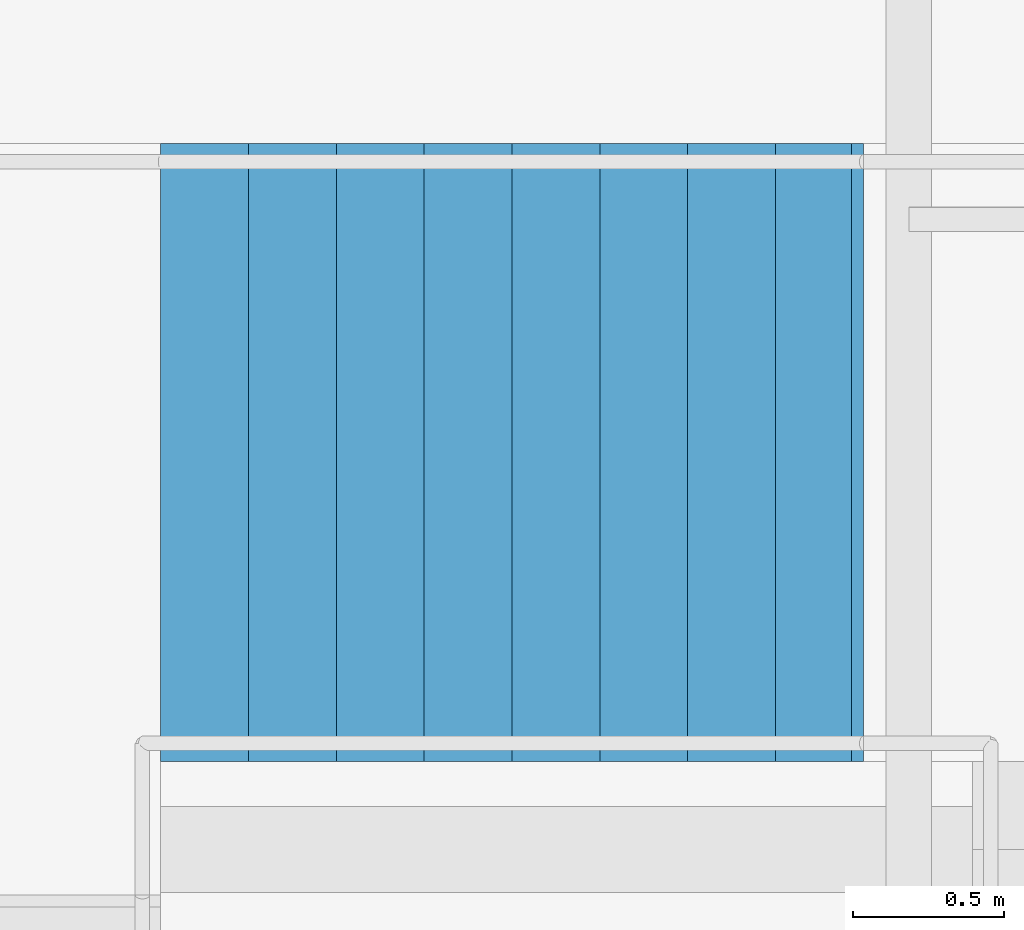
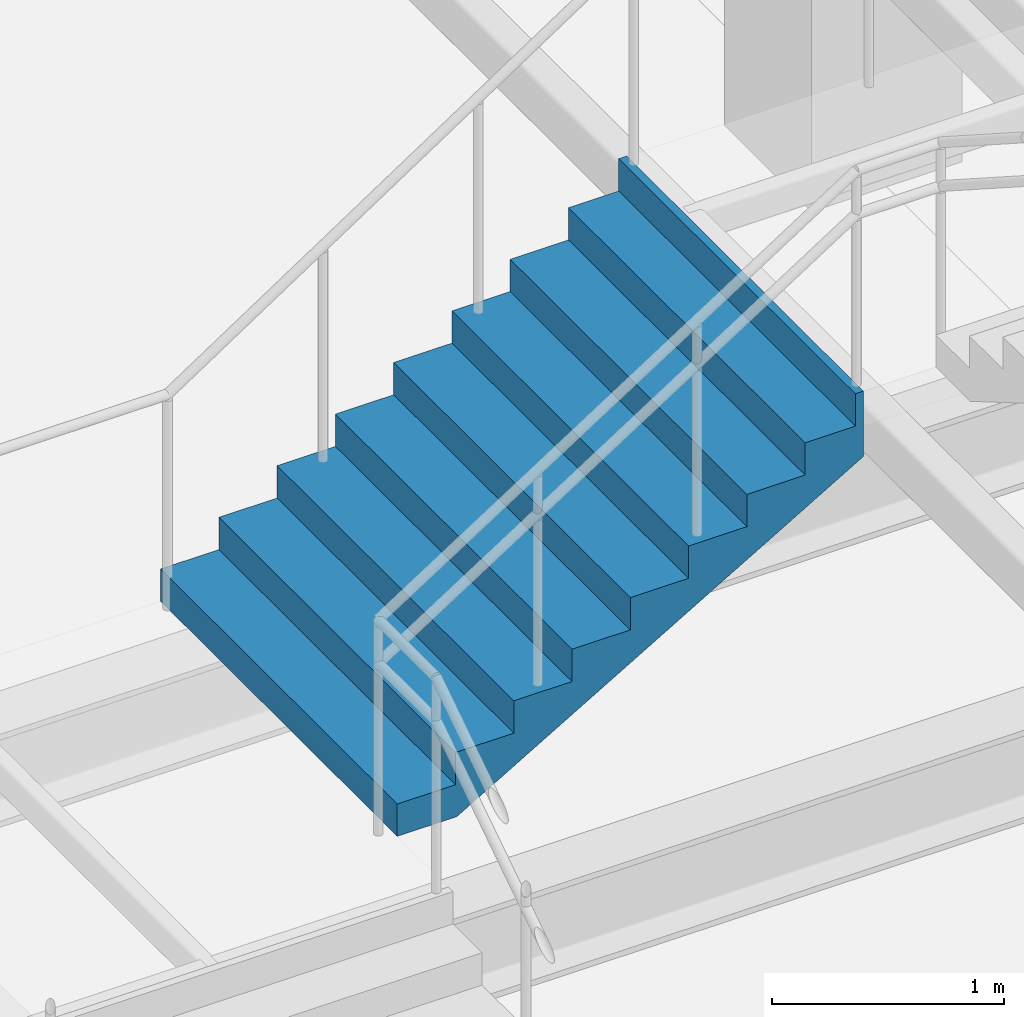
# One storey, part 43 of 49: 1 stair flight, 1 element without a shape of its own.
"""IFC4 building model written with IfcOpenShell, lengths in metres."""

from ifc_helpers import new_model, si_unit, direction, frame, origin, place, context, subcontext, project, spatial, triangles, material, type_object, element, aggregate, save


model = new_model("IFC4")

# Units and contexts
model_context = context("Model", 3, precision=1e-05, world=origin(), true_north=direction((0.0, 1.0)))
body_context = subcontext(model_context, "Body", "Model", "MODEL_VIEW")
ifc_project = project(units=[si_unit("LENGTHUNIT", "METRE"), si_unit("AREAUNIT", "SQUARE_METRE"), si_unit("VOLUMEUNIT", "CUBIC_METRE"), si_unit("PLANEANGLEUNIT", "RADIAN"), si_unit("MASSUNIT", "GRAM", prefix="KILO")], contexts=[model_context])

# Site, building, storey
site_placement = place(None, origin())
site = spatial("IfcSite", under=ifc_project, at=site_placement, CompositionType="ELEMENT")
building_placement = place(site_placement, origin())
building = spatial("IfcBuilding", under=site, at=building_placement, Name="Sillaruma Civic Art Gallery", CompositionType="ELEMENT")
storey_placement = place(building_placement, frame((0.0, 0.0, 33.14990234375)))
storey = spatial("IfcBuildingStorey", under=building, at=storey_placement, Name="L06", CompositionType="ELEMENT", Elevation=33.14990234375)

# Stair, stair flight
ifc_material = material(Name="Concrete H35 (35 MPa)", Category="concrete")
stair_type = type_object("IfcStairType", Name="STR-3F-27", PredefinedType="TWO_QUARTER_TURN_STAIR", material=ifc_material)
stair_placement = place(storey_placement, origin())
stair = element("IfcStair", 1, at=stair_placement, inside=storey, type_object=stair_type, Name="Monumental Gallery Feature Stair ST-G03 (L06)", PredefinedType="TWO_QUARTER_TURN_STAIR")
stair_flight_type = type_object("IfcStairFlightType", Name="SFL-STR-9", PredefinedType="STRAIGHT", material=ifc_material)
stair_flight_placement = place(storey_placement, frame((86.639892578125, 74.780029296875, 1.530029296875), z_axis=(0.0, 0.0, 1.0), x_axis=(1.0, 0.0, 0.0)))
stair_flight = element("IfcStairFlight", 2, at=stair_flight_placement, type_object=stair_flight_type, Name="ST-G03 flight 2", NumberOfRisers=9, NumberOfTreads=8, PredefinedType="STRAIGHT", RiserHeight=0.17, TreadLength=0.29, context=body_context, shape_type="Tessellation", body=[
    triangles([(0.0, -1.02001953125, 0.0), (0.29, -1.02001953125, 0.0), (0.296482, -1.02001953125, 0.0), (0.58, -1.02001953125, 0.1662), (0.87, -1.02001953125, 0.3362), (1.16, -1.02001953125, 0.5062), (1.45, -1.02001953125, 0.6762), (1.74, -1.02001953125, 0.8462), (2.03, -1.02001953125, 1.0162), (2.280068, -1.02001953125, 1.162792), (2.320068, -1.02001953125, 1.18624), (2.320068, -1.02001953125, 1.53), (2.280068, -1.02001953125, 1.53), (2.280068, -1.02001953125, 1.36), (2.03, -1.02001953125, 1.36), (2.03, -1.02001953125, 1.19), (1.74, -1.02001953125, 1.19), (1.74, -1.02001953125, 1.02), (1.45, -1.02001953125, 1.02), (1.45, -1.02001953125, 0.85), (1.16, -1.02001953125, 0.85), (1.16, -1.02001953125, 0.68), (0.87, -1.02001953125, 0.68), (0.87, -1.02001953125, 0.51), (0.58, -1.02001953125, 0.51), (0.58, -1.02001953125, 0.34), (0.296482, -1.02001953125, 0.34), (0.29, -1.02001953125, 0.34), (0.29, -1.02001953125, 0.17), (0.0, -1.02001953125, 0.17), (0.0, -0.05, 0.0), (0.29, -0.05, 0.0), (0.296482, -0.05, 0.0), (0.58, -0.05, 0.1662), (0.87, -0.05, 0.3362), (1.16, -0.05, 0.5062), (1.45, -0.05, 0.6762), (1.74, -0.05, 0.8462), (2.03, -0.05, 1.0162), (2.280068, -0.05, 1.162792), (2.320068, -0.05, 1.18624), (2.320068, -0.05, 1.53), (2.280068, -0.05, 1.53), (2.280068, -0.05, 1.36), (2.03, -0.05, 1.36), (2.03, -0.05, 1.19), (1.74, -0.05, 1.19), (1.74, -0.05, 1.02), (1.45, -0.05, 1.02), (1.45, -0.05, 0.85), (1.16, -0.05, 0.85), (1.16, -0.05, 0.68), (0.87, -0.05, 0.68), (0.87, -0.05, 0.51), (0.58, -0.05, 0.51), (0.58, -0.05, 0.34), (0.296482, -0.05, 0.34), (0.29, -0.05, 0.34), (0.29, -0.05, 0.17), (0.0, -0.05, 0.17), (0.0, -0.0375, 0.0), (0.29, -0.0375, 0.0), (0.296482, -0.0375, 0.0), (0.58, -0.0375, 0.1662), (0.87, -0.0375, 0.3362), (1.16, -0.0375, 0.5062), (1.45, -0.0375, 0.6762), (1.74, -0.0375, 0.8462), (2.03, -0.0375, 1.0162), (2.280068, -0.0375, 1.162792), (2.320068, -0.0375, 1.18624), (2.320068, -0.0375, 1.53), (2.280068, -0.0375, 1.53), (2.280068, -0.0375, 1.36), (2.03, -0.0375, 1.36), (2.03, -0.0375, 1.19), (1.74, -0.0375, 1.19), (1.74, -0.0375, 1.02), (1.45, -0.0375, 1.02), (1.45, -0.0375, 0.85), (1.16, -0.0375, 0.85), (1.16, -0.0375, 0.68), (0.87, -0.0375, 0.68), (0.87, -0.0375, 0.51), (0.58, -0.0375, 0.51), (0.58, -0.0375, 0.34), (0.296482, -0.0375, 0.34), (0.29, -0.0375, 0.34), (0.29, -0.0375, 0.17), (0.0, -0.0375, 0.17), (0.0, -0.025, 0.0), (0.29, -0.025, 0.0), (0.296482, -0.025, 0.0), (0.58, -0.025, 0.1662), (0.87, -0.025, 0.3362), (1.16, -0.025, 0.5062), (1.45, -0.025, 0.6762), (1.74, -0.025, 0.8462), (2.03, -0.025, 1.0162), (2.280068, -0.025, 1.162792), (2.320068, -0.025, 1.18624), (2.320068, -0.025, 1.53), (2.280068, -0.025, 1.53), (2.280068, -0.025, 1.36), (2.03, -0.025, 1.36), (2.03, -0.025, 1.19), (1.74, -0.025, 1.19), (1.74, -0.025, 1.02), (1.45, -0.025, 1.02), (1.45, -0.025, 0.85), (1.16, -0.025, 0.85), (1.16, -0.025, 0.68), (0.87, -0.025, 0.68), (0.87, -0.025, 0.51), (0.58, -0.025, 0.51), (0.58, -0.025, 0.34), (0.296482, -0.025, 0.34), (0.29, -0.025, 0.34), (0.29, -0.025, 0.17), (0.0, -0.025, 0.17), (0.0, -0.0125, 0.0), (0.29, -0.0125, 0.0), (0.296482, -0.0125, 0.0), (0.58, -0.0125, 0.1662), (0.87, -0.0125, 0.3362), (1.16, -0.0125, 0.5062), (1.45, -0.0125, 0.6762), (1.74, -0.0125, 0.8462), (2.03, -0.0125, 1.0162), (2.280068, -0.0125, 1.162792), (2.320068, -0.0125, 1.18624), (2.320068, -0.0125, 1.53), (2.280068, -0.0125, 1.53), (2.280068, -0.0125, 1.36), (2.03, -0.0125, 1.36), (2.03, -0.0125, 1.19), (1.74, -0.0125, 1.19), (1.74, -0.0125, 1.02), (1.45, -0.0125, 1.02), (1.45, -0.0125, 0.85), (1.16, -0.0125, 0.85), (1.16, -0.0125, 0.68), (0.87, -0.0125, 0.68), (0.87, -0.0125, 0.51), (0.58, -0.0125, 0.51), (0.58, -0.0125, 0.34), (0.296482, -0.0125, 0.34), (0.29, -0.0125, 0.34), (0.29, -0.0125, 0.17), (0.0, -0.0125, 0.17), (0.0, 0.0, 0.0), (0.29, 0.0, 0.0), (0.296482, 0.0, 0.0), (0.58, 0.0, 0.1662), (0.87, 0.0, 0.3362), (1.16, 0.0, 0.5062), (1.45, 0.0, 0.6762), (1.74, 0.0, 0.8462), (2.03, 0.0, 1.0162), (2.280068, 0.0, 1.162792), (2.320068, 0.0, 1.18624), (2.320068, 0.0, 1.53), (2.280068, 0.0, 1.53), (2.280068, 0.0, 1.36), (2.03, 0.0, 1.36), (2.03, 0.0, 1.19), (1.74, 0.0, 1.19), (1.74, 0.0, 1.02), (1.45, 0.0, 1.02), (1.45, 0.0, 0.85), (1.16, 0.0, 0.85), (1.16, 0.0, 0.68), (0.87, 0.0, 0.68), (0.87, 0.0, 0.51), (0.58, 0.0, 0.51), (0.58, 0.0, 0.34), (0.296482, 0.0, 0.34), (0.29, 0.0, 0.34), (0.29, 0.0, 0.17), (0.0, 0.0, 0.17), (0.0, 0.0125, 0.0), (0.29, 0.0125, 0.0), (0.296482, 0.0125, 0.0), (0.58, 0.0125, 0.1662), (0.87, 0.0125, 0.3362), (1.16, 0.0125, 0.5062), (1.45, 0.0125, 0.6762), (1.74, 0.0125, 0.8462), (2.03, 0.0125, 1.0162), (2.280068, 0.0125, 1.162792), (2.320068, 0.0125, 1.18624), (2.320068, 0.0125, 1.53), (2.280068, 0.0125, 1.53), (2.280068, 0.0125, 1.36), (2.03, 0.0125, 1.36), (2.03, 0.0125, 1.19), (1.74, 0.0125, 1.19), (1.74, 0.0125, 1.02), (1.45, 0.0125, 1.02), (1.45, 0.0125, 0.85), (1.16, 0.0125, 0.85), (1.16, 0.0125, 0.68), (0.87, 0.0125, 0.68), (0.87, 0.0125, 0.51), (0.58, 0.0125, 0.51), (0.58, 0.0125, 0.34), (0.296482, 0.0125, 0.34), (0.29, 0.0125, 0.34), (0.29, 0.0125, 0.17), (0.0, 0.0125, 0.17), (0.0, 0.025, 0.0), (0.29, 0.025, 0.0), (0.296482, 0.025, 0.0), (0.58, 0.025, 0.1662), (0.87, 0.025, 0.3362), (1.16, 0.025, 0.5062), (1.45, 0.025, 0.6762), (1.74, 0.025, 0.8462), (2.03, 0.025, 1.0162), (2.280068, 0.025, 1.162792), (2.320068, 0.025, 1.18624), (2.320068, 0.025, 1.53), (2.280068, 0.025, 1.53), (2.280068, 0.025, 1.36), (2.03, 0.025, 1.36), (2.03, 0.025, 1.19), (1.74, 0.025, 1.19), (1.74, 0.025, 1.02), (1.45, 0.025, 1.02), (1.45, 0.025, 0.85), (1.16, 0.025, 0.85), (1.16, 0.025, 0.68), (0.87, 0.025, 0.68), (0.87, 0.025, 0.51), (0.58, 0.025, 0.51), (0.58, 0.025, 0.34), (0.296482, 0.025, 0.34), (0.29, 0.025, 0.34), (0.29, 0.025, 0.17), (0.0, 0.025, 0.17), (0.0, 0.0375, 0.0), (0.29, 0.0375, 0.0), (0.296482, 0.0375, 0.0), (0.58, 0.0375, 0.1662), (0.87, 0.0375, 0.3362), (1.16, 0.0375, 0.5062), (1.45, 0.0375, 0.6762), (1.74, 0.0375, 0.8462), (2.03, 0.0375, 1.0162), (2.280068, 0.0375, 1.162792), (2.320068, 0.0375, 1.18624), (2.320068, 0.0375, 1.53), (2.280068, 0.0375, 1.53), (2.280068, 0.0375, 1.36), (2.03, 0.0375, 1.36), (2.03, 0.0375, 1.19), (1.74, 0.0375, 1.19), (1.74, 0.0375, 1.02), (1.45, 0.0375, 1.02), (1.45, 0.0375, 0.85), (1.16, 0.0375, 0.85), (1.16, 0.0375, 0.68), (0.87, 0.0375, 0.68), (0.87, 0.0375, 0.51), (0.58, 0.0375, 0.51), (0.58, 0.0375, 0.34), (0.296482, 0.0375, 0.34), (0.29, 0.0375, 0.34), (0.29, 0.0375, 0.17), (0.0, 0.0375, 0.17), (0.0, 0.05, 0.0), (0.29, 0.05, 0.0), (0.296482, 0.05, 0.0), (0.58, 0.05, 0.1662), (0.87, 0.05, 0.3362), (1.16, 0.05, 0.5062), (1.45, 0.05, 0.6762), (1.74, 0.05, 0.8462), (2.03, 0.05, 1.0162), (2.280068, 0.05, 1.162792), (2.320068, 0.05, 1.18624), (2.320068, 0.05, 1.53), (2.280068, 0.05, 1.53), (2.280068, 0.05, 1.36), (2.03, 0.05, 1.36), (2.03, 0.05, 1.19), (1.74, 0.05, 1.19), (1.74, 0.05, 1.02), (1.45, 0.05, 1.02), (1.45, 0.05, 0.85), (1.16, 0.05, 0.85), (1.16, 0.05, 0.68), (0.87, 0.05, 0.68), (0.87, 0.05, 0.51), (0.58, 0.05, 0.51), (0.58, 0.05, 0.34), (0.296482, 0.05, 0.34), (0.29, 0.05, 0.34), (0.29, 0.05, 0.17), (0.0, 0.05, 0.17), (0.0, 1.02001953125, 0.0), (0.29, 1.02001953125, 0.0), (0.296482, 1.02001953125, 0.0), (0.58, 1.02001953125, 0.1662), (0.87, 1.02001953125, 0.3362), (1.16, 1.02001953125, 0.5062), (1.45, 1.02001953125, 0.6762), (1.74, 1.02001953125, 0.8462), (2.03, 1.02001953125, 1.0162), (2.280068, 1.02001953125, 1.162792), (2.320068, 1.02001953125, 1.18624), (2.320068, 1.02001953125, 1.53), (2.280068, 1.02001953125, 1.53), (2.280068, 1.02001953125, 1.36), (2.03, 1.02001953125, 1.36), (2.03, 1.02001953125, 1.19), (1.74, 1.02001953125, 1.19), (1.74, 1.02001953125, 1.02), (1.45, 1.02001953125, 1.02), (1.45, 1.02001953125, 0.85), (1.16, 1.02001953125, 0.85), (1.16, 1.02001953125, 0.68), (0.87, 1.02001953125, 0.68), (0.87, 1.02001953125, 0.51), (0.58, 1.02001953125, 0.51), (0.58, 1.02001953125, 0.34), (0.296482, 1.02001953125, 0.34), (0.29, 1.02001953125, 0.34), (0.29, 1.02001953125, 0.17), (0.0, 1.02001953125, 0.17)], [[1, 2, 29], [1, 29, 30], [2, 3, 27], [2, 27, 29], [29, 27, 28], [3, 4, 26], [3, 26, 27], [4, 5, 24], [4, 24, 26], [26, 24, 25], [5, 6, 22], [5, 22, 24], [24, 22, 23], [6, 7, 20], [6, 20, 22], [22, 20, 21], [7, 8, 18], [7, 18, 20], [20, 18, 19], [8, 9, 16], [8, 16, 18], [18, 16, 17], [9, 10, 14], [9, 14, 16], [16, 14, 15], [10, 11, 12], [10, 12, 14], [14, 12, 13], [329, 302, 301], [330, 329, 301], [327, 303, 302], [329, 327, 302], [328, 327, 329], [326, 304, 303], [327, 326, 303], [324, 305, 304], [326, 324, 304], [325, 324, 326], [322, 306, 305], [324, 322, 305], [323, 322, 324], [320, 307, 306], [322, 320, 306], [321, 320, 322], [318, 308, 307], [320, 318, 307], [319, 318, 320], [316, 309, 308], [318, 316, 308], [317, 316, 318], [314, 310, 309], [316, 314, 309], [315, 314, 316], [312, 311, 310], [314, 312, 310], [313, 312, 314], [2, 1, 31], [2, 31, 32], [3, 2, 32], [3, 32, 33], [4, 3, 33], [4, 33, 34], [5, 4, 34], [5, 34, 35], [6, 5, 35], [6, 35, 36], [7, 6, 36], [7, 36, 37], [8, 7, 37], [8, 37, 38], [9, 8, 38], [9, 38, 39], [10, 9, 39], [10, 39, 40], [11, 10, 40], [11, 40, 41], [12, 11, 41], [12, 41, 42], [13, 12, 42], [13, 42, 43], [14, 13, 43], [14, 43, 44], [15, 14, 44], [15, 44, 45], [16, 15, 45], [16, 45, 46], [17, 16, 46], [17, 46, 47], [18, 17, 47], [18, 47, 48], [19, 18, 48], [19, 48, 49], [20, 19, 49], [20, 49, 50], [21, 20, 50], [21, 50, 51], [22, 21, 51], [22, 51, 52], [23, 22, 52], [23, 52, 53], [24, 23, 53], [24, 53, 54], [25, 24, 54], [25, 54, 55], [26, 25, 55], [26, 55, 56], [27, 26, 56], [27, 56, 57], [28, 27, 57], [28, 57, 58], [29, 28, 58], [29, 58, 59], [30, 29, 59], [30, 59, 60], [1, 30, 60], [1, 60, 31], [32, 31, 61], [32, 61, 62], [33, 32, 62], [33, 62, 63], [34, 33, 63], [34, 63, 64], [35, 34, 64], [35, 64, 65], [36, 35, 65], [36, 65, 66], [37, 36, 66], [37, 66, 67], [38, 37, 67], [38, 67, 68], [39, 38, 68], [39, 68, 69], [40, 39, 69], [40, 69, 70], [41, 40, 70], [41, 70, 71], [42, 41, 71], [42, 71, 72], [43, 42, 72], [43, 72, 73], [44, 43, 73], [44, 73, 74], [45, 44, 74], [45, 74, 75], [46, 45, 75], [46, 75, 76], [47, 46, 76], [47, 76, 77], [48, 47, 77], [48, 77, 78], [49, 48, 78], [49, 78, 79], [50, 49, 79], [50, 79, 80], [51, 50, 80], [51, 80, 81], [52, 51, 81], [52, 81, 82], [53, 52, 82], [53, 82, 83], [54, 53, 83], [54, 83, 84], [55, 54, 84], [55, 84, 85], [56, 55, 85], [56, 85, 86], [57, 56, 86], [57, 86, 87], [58, 57, 87], [58, 87, 88], [59, 58, 88], [59, 88, 89], [60, 59, 89], [60, 89, 90], [31, 60, 90], [31, 90, 61], [62, 61, 91], [62, 91, 92], [63, 62, 92], [63, 92, 93], [64, 63, 93], [64, 93, 94], [65, 64, 94], [65, 94, 95], [66, 65, 95], [66, 95, 96], [67, 66, 96], [67, 96, 97], [68, 67, 97], [68, 97, 98], [69, 68, 98], [69, 98, 99], [70, 69, 99], [70, 99, 100], [71, 70, 100], [71, 100, 101], [72, 71, 101], [72, 101, 102], [73, 72, 102], [73, 102, 103], [74, 73, 103], [74, 103, 104], [75, 74, 104], [75, 104, 105], [76, 75, 105], [76, 105, 106], [77, 76, 106], [77, 106, 107], [78, 77, 107], [78, 107, 108], [79, 78, 108], [79, 108, 109], [80, 79, 109], [80, 109, 110], [81, 80, 110], [81, 110, 111], [82, 81, 111], [82, 111, 112], [83, 82, 112], [83, 112, 113], [84, 83, 113], [84, 113, 114], [85, 84, 114], [85, 114, 115], [86, 85, 115], [86, 115, 116], [87, 86, 116], [87, 116, 117], [88, 87, 117], [88, 117, 118], [89, 88, 118], [89, 118, 119], [90, 89, 119], [90, 119, 120], [61, 90, 120], [61, 120, 91], [92, 91, 121], [92, 121, 122], [93, 92, 122], [93, 122, 123], [94, 93, 123], [94, 123, 124], [95, 94, 124], [95, 124, 125], [96, 95, 125], [96, 125, 126], [97, 96, 126], [97, 126, 127], [98, 97, 127], [98, 127, 128], [99, 98, 128], [99, 128, 129], [100, 99, 129], [100, 129, 130], [101, 100, 130], [101, 130, 131], [102, 101, 131], [102, 131, 132], [103, 102, 132], [103, 132, 133], [104, 103, 133], [104, 133, 134], [105, 104, 134], [105, 134, 135], [106, 105, 135], [106, 135, 136], [107, 106, 136], [107, 136, 137], [108, 107, 137], [108, 137, 138], [109, 108, 138], [109, 138, 139], [110, 109, 139], [110, 139, 140], [111, 110, 140], [111, 140, 141], [112, 111, 141], [112, 141, 142], [113, 112, 142], [113, 142, 143], [114, 113, 143], [114, 143, 144], [115, 114, 144], [115, 144, 145], [116, 115, 145], [116, 145, 146], [117, 116, 146], [117, 146, 147], [118, 117, 147], [118, 147, 148], [119, 118, 148], [119, 148, 149], [120, 119, 149], [120, 149, 150], [91, 120, 150], [91, 150, 121], [122, 121, 151], [122, 151, 152], [123, 122, 152], [123, 152, 153], [124, 123, 153], [124, 153, 154], [125, 124, 154], [125, 154, 155], [126, 125, 155], [126, 155, 156], [127, 126, 156], [127, 156, 157], [128, 127, 157], [128, 157, 158], [129, 128, 158], [129, 158, 159], [130, 129, 159], [130, 159, 160], [131, 130, 160], [131, 160, 161], [132, 131, 161], [132, 161, 162], [133, 132, 162], [133, 162, 163], [134, 133, 163], [134, 163, 164], [135, 134, 164], [135, 164, 165], [136, 135, 165], [136, 165, 166], [137, 136, 166], [137, 166, 167], [138, 137, 167], [138, 167, 168], [139, 138, 168], [139, 168, 169], [140, 139, 169], [140, 169, 170], [141, 140, 170], [141, 170, 171], [142, 141, 171], [142, 171, 172], [143, 142, 172], [143, 172, 173], [144, 143, 173], [144, 173, 174], [145, 144, 174], [145, 174, 175], [146, 145, 175], [146, 175, 176], [147, 146, 176], [147, 176, 177], [148, 147, 177], [148, 177, 178], [149, 148, 178], [149, 178, 179], [150, 149, 179], [150, 179, 180], [121, 150, 180], [121, 180, 151], [152, 151, 181], [152, 181, 182], [153, 152, 182], [153, 182, 183], [154, 153, 183], [154, 183, 184], [155, 154, 184], [155, 184, 185], [156, 155, 185], [156, 185, 186], [157, 156, 186], [157, 186, 187], [158, 157, 187], [158, 187, 188], [159, 158, 188], [159, 188, 189], [160, 159, 189], [160, 189, 190], [161, 160, 190], [161, 190, 191], [162, 161, 191], [162, 191, 192], [163, 162, 192], [163, 192, 193], [164, 163, 193], [164, 193, 194], [165, 164, 194], [165, 194, 195], [166, 165, 195], [166, 195, 196], [167, 166, 196], [167, 196, 197], [168, 167, 197], [168, 197, 198], [169, 168, 198], [169, 198, 199], [170, 169, 199], [170, 199, 200], [171, 170, 200], [171, 200, 201], [172, 171, 201], [172, 201, 202], [173, 172, 202], [173, 202, 203], [174, 173, 203], [174, 203, 204], [175, 174, 204], [175, 204, 205], [176, 175, 205], [176, 205, 206], [177, 176, 206], [177, 206, 207], [178, 177, 207], [178, 207, 208], [179, 178, 208], [179, 208, 209], [180, 179, 209], [180, 209, 210], [151, 180, 210], [151, 210, 181], [182, 181, 211], [182, 211, 212], [183, 182, 212], [183, 212, 213], [184, 183, 213], [184, 213, 214], [185, 184, 214], [185, 214, 215], [186, 185, 215], [186, 215, 216], [187, 186, 216], [187, 216, 217], [188, 187, 217], [188, 217, 218], [189, 188, 218], [189, 218, 219], [190, 189, 219], [190, 219, 220], [191, 190, 220], [191, 220, 221], [192, 191, 221], [192, 221, 222], [193, 192, 222], [193, 222, 223], [194, 193, 223], [194, 223, 224], [195, 194, 224], [195, 224, 225], [196, 195, 225], [196, 225, 226], [197, 196, 226], [197, 226, 227], [198, 197, 227], [198, 227, 228], [199, 198, 228], [199, 228, 229], [200, 199, 229], [200, 229, 230], [201, 200, 230], [201, 230, 231], [202, 201, 231], [202, 231, 232], [203, 202, 232], [203, 232, 233], [204, 203, 233], [204, 233, 234], [205, 204, 234], [205, 234, 235], [206, 205, 235], [206, 235, 236], [207, 206, 236], [207, 236, 237], [208, 207, 237], [208, 237, 238], [209, 208, 238], [209, 238, 239], [210, 209, 239], [210, 239, 240], [181, 210, 240], [181, 240, 211], [212, 211, 241], [212, 241, 242], [213, 212, 242], [213, 242, 243], [214, 213, 243], [214, 243, 244], [215, 214, 244], [215, 244, 245], [216, 215, 245], [216, 245, 246], [217, 216, 246], [217, 246, 247], [218, 217, 247], [218, 247, 248], [219, 218, 248], [219, 248, 249], [220, 219, 249], [220, 249, 250], [221, 220, 250], [221, 250, 251], [222, 221, 251], [222, 251, 252], [223, 222, 252], [223, 252, 253], [224, 223, 253], [224, 253, 254], [225, 224, 254], [225, 254, 255], [226, 225, 255], [226, 255, 256], [227, 226, 256], [227, 256, 257], [228, 227, 257], [228, 257, 258], [229, 228, 258], [229, 258, 259], [230, 229, 259], [230, 259, 260], [231, 230, 260], [231, 260, 261], [232, 231, 261], [232, 261, 262], [233, 232, 262], [233, 262, 263], [234, 233, 263], [234, 263, 264], [235, 234, 264], [235, 264, 265], [236, 235, 265], [236, 265, 266], [237, 236, 266], [237, 266, 267], [238, 237, 267], [238, 267, 268], [239, 238, 268], [239, 268, 269], [240, 239, 269], [240, 269, 270], [211, 240, 270], [211, 270, 241], [242, 241, 271], [242, 271, 272], [243, 242, 272], [243, 272, 273], [244, 243, 273], [244, 273, 274], [245, 244, 274], [245, 274, 275], [246, 245, 275], [246, 275, 276], [247, 246, 276], [247, 276, 277], [248, 247, 277], [248, 277, 278], [249, 248, 278], [249, 278, 279], [250, 249, 279], [250, 279, 280], [251, 250, 280], [251, 280, 281], [252, 251, 281], [252, 281, 282], [253, 252, 282], [253, 282, 283], [254, 253, 283], [254, 283, 284], [255, 254, 284], [255, 284, 285], [256, 255, 285], [256, 285, 286], [257, 256, 286], [257, 286, 287], [258, 257, 287], [258, 287, 288], [259, 258, 288], [259, 288, 289], [260, 259, 289], [260, 289, 290], [261, 260, 290], [261, 290, 291], [262, 261, 291], [262, 291, 292], [263, 262, 292], [263, 292, 293], [264, 263, 293], [264, 293, 294], [265, 264, 294], [265, 294, 295], [266, 265, 295], [266, 295, 296], [267, 266, 296], [267, 296, 297], [268, 267, 297], [268, 297, 298], [269, 268, 298], [269, 298, 299], [270, 269, 299], [270, 299, 300], [241, 270, 300], [241, 300, 271], [272, 271, 301], [272, 301, 302], [273, 272, 302], [273, 302, 303], [274, 273, 303], [274, 303, 304], [275, 274, 304], [275, 304, 305], [276, 275, 305], [276, 305, 306], [277, 276, 306], [277, 306, 307], [278, 277, 307], [278, 307, 308], [279, 278, 308], [279, 308, 309], [280, 279, 309], [280, 309, 310], [281, 280, 310], [281, 310, 311], [282, 281, 311], [282, 311, 312], [283, 282, 312], [283, 312, 313], [284, 283, 313], [284, 313, 314], [285, 284, 314], [285, 314, 315], [286, 285, 315], [286, 315, 316], [287, 286, 316], [287, 316, 317], [288, 287, 317], [288, 317, 318], [289, 288, 318], [289, 318, 319], [290, 289, 319], [290, 319, 320], [291, 290, 320], [291, 320, 321], [292, 291, 321], [292, 321, 322], [293, 292, 322], [293, 322, 323], [294, 293, 323], [294, 323, 324], [295, 294, 324], [295, 324, 325], [296, 295, 325], [296, 325, 326], [297, 296, 326], [297, 326, 327], [298, 297, 327], [298, 327, 328], [299, 298, 328], [299, 328, 329], [300, 299, 329], [300, 329, 330], [271, 300, 330], [271, 330, 301]], closed=True),
])
aggregate(stair, [stair_flight])

save(model, "model.ifc")
